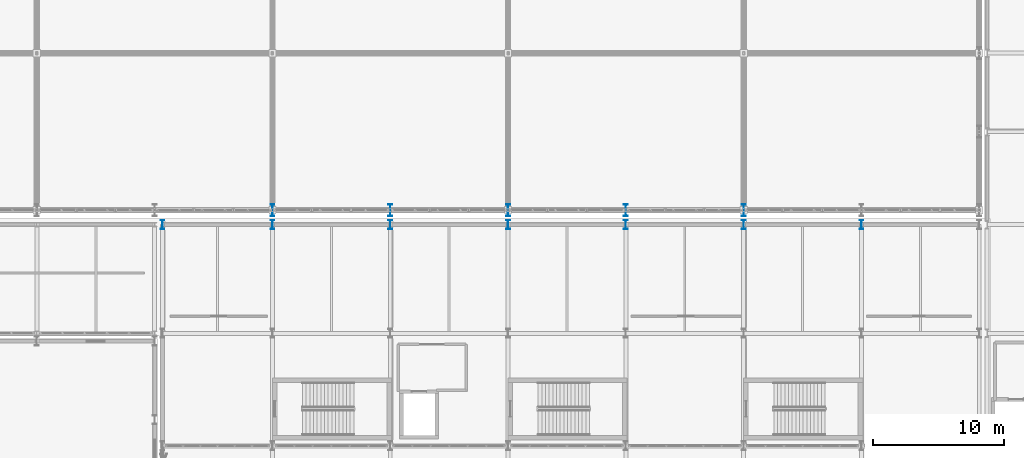
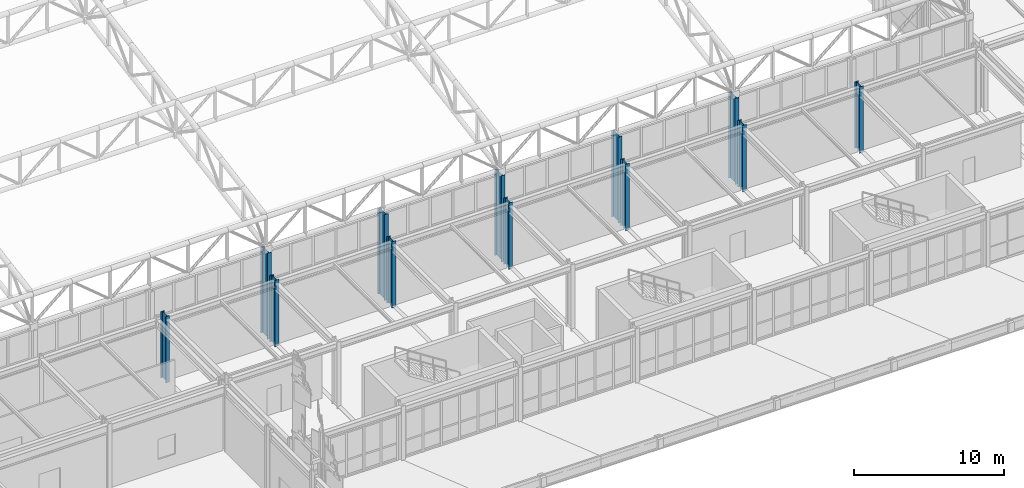
# One storey, part 9 of 239: 12 columns.
"""IFC4 building model written with IfcOpenShell, lengths in metres."""

import ifcopenshell
import ifcopenshell.guid

model = None  # the IFC model being written
_history = None  # IfcOwnerHistory: only IFC2X3 demands one
_inside = {}  # id of a spatial element -> (the spatial element, [elements in it])
_under = {}  # id of a project, library or spatial element -> (it, [spatial elements below it])
_declared = {}  # id of a project -> (the project, [libraries it declares])
_typed = {}  # id of a type object -> (the type object, [elements of that type])
_made_of = {}  # id of a material, layer set ... -> (it, [elements and type objects made of it])


def new_model(schema):
    """Start an empty IFC model of exactly this schema.

    Asked for "IFC4X3", IfcOpenShell would pick the latest addendum, in which some entities
    have other attributes; the version numbers below select the first issue.
    IFC2X3 requires an IfcOwnerHistory on every rooted entity: one is made here for all.
    """
    global model, _history
    if schema == "IFC4X3":
        model = ifcopenshell.file(schema_version=(4, 3, 0, 0))
    else:
        model = ifcopenshell.file(schema=schema)
    _inside.clear()
    _under.clear()
    _declared.clear()
    _typed.clear()
    _made_of.clear()
    _history = None
    if model.schema == "IFC2X3":
        org = make("IfcOrganization", Name="unknown")
        user = make(
            "IfcPersonAndOrganization",
            ThePerson=make("IfcPerson", FamilyName="unknown"),
            TheOrganization=org,
        )
        app = make(
            "IfcApplication",
            ApplicationDeveloper=org,
            Version="unknown",
            ApplicationFullName="unknown",
            ApplicationIdentifier="unknown",
        )
        _history = make(
            "IfcOwnerHistory",
            OwningUser=user,
            OwningApplication=app,
            ChangeAction="ADDED",
            CreationDate=0,
        )
    return model


def make(cls, **values):
    """One entity of the class cls with the attributes given. An attribute that is None is left unset."""
    return model.create_entity(
        cls, **{name: value for name, value in values.items() if value is not None}
    )


def rooted(cls, **values):
    """An entity with a GlobalId (a new one), such as an element, a storey or a relation."""
    return make(cls, GlobalId=ifcopenshell.guid.new(), OwnerHistory=_history, **values)


def si_unit(unit_type, name, prefix=None):
    """IfcSIUnit, for example si_unit("LENGTHUNIT", "METRE", prefix="MILLI")."""
    return make("IfcSIUnit", UnitType=unit_type, Prefix=prefix, Name=name)


def assignment(units):
    """IfcUnitAssignment: the units of a project."""
    return None if units is None else make("IfcUnitAssignment", Units=units)


def point(xyz):
    """IfcCartesianPoint."""
    return None if xyz is None else make("IfcCartesianPoint", Coordinates=xyz)


def direction(xyz):
    """IfcDirection."""
    return None if xyz is None else make("IfcDirection", DirectionRatios=xyz)


def frame(location, z_axis=None, x_axis=None):
    """IfcAxis2Placement3D, a coordinate frame: its origin and axes. An axis left out is left unset."""
    return make(
        "IfcAxis2Placement3D",
        Location=point(location),
        Axis=direction(z_axis),
        RefDirection=direction(x_axis),
    )


def frame_2d(location, x_axis=None):
    """IfcAxis2Placement2D, a coordinate frame in the plane: its origin and x axis."""
    return make(
        "IfcAxis2Placement2D", Location=point(location), RefDirection=direction(x_axis)
    )


def origin():
    """The frame at (0, 0, 0) with its axes left unset."""
    return frame((0.0, 0.0, 0.0))


def origin_2d():
    """The frame at (0, 0) in the plane with its x axis left unset."""
    return frame_2d((0.0, 0.0))


def place(relative_to, where):
    """IfcLocalPlacement: puts the frame where relative to a parent placement (None: the world)."""
    return make(
        "IfcLocalPlacement", PlacementRelTo=relative_to, RelativePlacement=where
    )


def context(
    kind, dimensions, precision=None, world=None, true_north=None, identifier=None
):
    """IfcGeometricRepresentationContext, for example the 3D "Model" context."""
    return make(
        "IfcGeometricRepresentationContext",
        ContextIdentifier=identifier,
        ContextType=kind,
        CoordinateSpaceDimension=dimensions,
        Precision=precision,
        WorldCoordinateSystem=world,
        TrueNorth=true_north,
    )


def subcontext(parent, identifier, kind, view, scale=None):
    """IfcGeometricRepresentationSubContext, for example "Body" below "Model"."""
    return make(
        "IfcGeometricRepresentationSubContext",
        ContextIdentifier=identifier,
        ContextType=kind,
        ParentContext=parent,
        TargetScale=scale,
        TargetView=view,
    )


def project(units=None, contexts=None):
    """IfcProject with its units and contexts."""
    return rooted(
        "IfcProject",
        Name="project",
        RepresentationContexts=contexts,
        UnitsInContext=assignment(units),
    )


def spatial(cls, under=None, at=None, **own):
    """A site, building, storey or space (cls), placed at a placement, below another one or the project."""
    s = rooted(cls, ObjectPlacement=at, **own)
    if under is not None:
        _under.setdefault(under.id(), (under, []))[1].append(s)
    return s


def profile(cls, at=None, kind="AREA", **sizes):
    """A parametric profile (cls). Its sizes go by their IFC names, for example OverallWidth=200.0."""
    return make(cls, ProfileType=kind, Position=at, **sizes)


def i_section(**sizes):
    """IfcIShapeProfileDef."""
    return profile("IfcIShapeProfileDef", **sizes)


def extrude(swept, where, along, depth):
    """IfcExtrudedAreaSolid: the profile swept, set in the frame where, extruded along a direction by depth."""
    return make(
        "IfcExtrudedAreaSolid",
        SweptArea=swept,
        Position=where,
        ExtrudedDirection=direction(along),
        Depth=depth,
    )


def shape(context_of_items, identifier, shape_type, items):
    """IfcShapeRepresentation: the items that make up one representation, for example the "Body"."""
    return make(
        "IfcShapeRepresentation",
        ContextOfItems=context_of_items,
        RepresentationIdentifier=identifier,
        RepresentationType=shape_type,
        Items=items,
    )


def material(Name=None, Category=None):
    """IfcMaterial."""
    return make("IfcMaterial", Name=Name, Category=Category)


def material_profile(
    of_material, cross_section, Name=None, Category=None, Priority=None
):
    """IfcMaterialProfile: a cross section and its material."""
    return make(
        "IfcMaterialProfile",
        Name=Name,
        Material=of_material,
        Profile=cross_section,
        Priority=Priority,
        Category=Category,
    )


def profile_set(profiles, Name=None, composite=None):
    """IfcMaterialProfileSet."""
    return make(
        "IfcMaterialProfileSet",
        Name=Name,
        MaterialProfiles=profiles,
        CompositeProfile=composite,
    )


def made_of(thing, what):
    """Note that an element or type object is made of a material, layer set ...; save() writes the relation."""
    if what is not None:
        _made_of.setdefault(what.id(), (what, []))[1].append(thing)
    return thing


def type_object(cls, material=None, **own):
    """A type object (cls), such as IfcWallType, which elements share."""
    return made_of(rooted(cls, **own), material)


def element(
    cls,
    number,
    at=None,
    inside=None,
    cuts=None,
    type_object=None,
    material=None,
    context=None,
    identifier="Body",
    shape_type=None,
    held_by="IfcProductDefinitionShape",
    body=None,
    shapes=None,
    **own,
):
    """One element of the class cls, such as IfcWall. Its Tag is "e" and its number.

    at: its placement. inside: the storey or other place that contains it. cuts: it is an
    opening in that element (IfcRelVoidsElement). A single representation is given by context,
    identifier, shape_type and body (its items); several are given by shapes. held_by: the class
    of the entity that holds the representations. save() writes the other relations.
    """
    e = rooted(cls, Tag="e%d" % number, ObjectPlacement=at, **own)
    if body is not None:
        shapes = [shape(context, identifier, shape_type, body)]
    if shapes is not None:
        e.Representation = make(held_by, Representations=shapes)
    if inside is not None:
        _inside.setdefault(inside.id(), (inside, []))[1].append(e)
    if cuts is not None:
        rooted(
            "IfcRelVoidsElement", RelatingBuildingElement=cuts, RelatedOpeningElement=e
        )
    if type_object is not None:
        _typed.setdefault(type_object.id(), (type_object, []))[1].append(e)
    return made_of(e, material)


def aggregate(whole, parts):
    """IfcRelAggregates: a whole, such as a stair, and the parts it consists of."""
    return rooted("IfcRelAggregates", RelatingObject=whole, RelatedObjects=parts)


def save(model, path):
    """Write the relations noted so far, then the file.

    IfcRelAggregates (storeys below a building ...), IfcRelContainedInSpatialStructure (elements
    in a storey), IfcRelDefinesByType, IfcRelAssociatesMaterial and IfcRelDeclares: one each for
    every whole, place, type object, material and project.
    """
    for whole, parts in _under.values():
        aggregate(whole, parts)
    for where, things in _inside.values():
        rooted(
            "IfcRelContainedInSpatialStructure",
            RelatedElements=things,
            RelatingStructure=where,
        )
    for kind, things in _typed.values():
        rooted("IfcRelDefinesByType", RelatedObjects=things, RelatingType=kind)
    for what, things in _made_of.values():
        rooted("IfcRelAssociatesMaterial", RelatedObjects=things, RelatingMaterial=what)
    for by, libraries in _declared.values():
        rooted("IfcRelDeclares", RelatingContext=by, RelatedDefinitions=libraries)
    model.write(path)


model = new_model("IFC4")

# Units and contexts
model_context = context("Model", 3, precision=1e-05, world=origin(), true_north=direction((0.0, 1.0)))
body_context = subcontext(model_context, "Body", "Model", "MODEL_VIEW")
ifc_project = project(units=[si_unit("LENGTHUNIT", "METRE"), si_unit("AREAUNIT", "SQUARE_METRE"), si_unit("VOLUMEUNIT", "CUBIC_METRE"), si_unit("PLANEANGLEUNIT", "RADIAN"), si_unit("MASSUNIT", "GRAM", prefix="KILO")], contexts=[model_context])

# Site, building, storey
site_placement = place(None, origin())
site = spatial("IfcSite", under=ifc_project, at=site_placement, CompositionType="ELEMENT")
building_placement = place(site_placement, origin())
building = spatial("IfcBuilding", under=site, at=building_placement, Name="Kaldris Quays Convention Centre", CompositionType="ELEMENT")
storey_placement = place(building_placement, frame((0.0, 0.0, 11.39990234375)))
storey = spatial("IfcBuildingStorey", under=building, at=storey_placement, Name="L02", CompositionType="ELEMENT", Elevation=11.39990234375)

# Columns
ifc_material = material(Name="Steel S355J2", Category="steel")
ifc_material_profile_1 = material_profile(ifc_material, i_section(OverallWidth=0.300048828125, OverallDepth=0.89990234375, WebThickness=0.0185546875, FlangeThickness=0.034912109375, FilletRadius=0.030029296875, at=origin_2d()), Name="HEB 900")
ifc_profile_set_1 = profile_set([ifc_material_profile_1], Name="Steel S355J2")
column_type_1 = type_object("IfcColumnType", Name="STRUCTURAL COLUMN CL03", PredefinedType="COLUMN", material=ifc_profile_set_1)
for number, where, z_axis, x_axis, name in (
    (1, (92.0, 56.0, 0.0), (0.0, 0.0, 1.0), (1.0, 0.0, 0.0), "L02 V1 Column CL03 (92.00, 56.00)"),
    (2, (101.0, 56.0, 0.0), (0.0, 0.0, 1.0), (1.0, 0.0, 0.0), "L02 V1 Column CL03 (101.00, 56.00)"),
    (3, (110.0, 56.0, 0.0), (0.0, 0.0, 1.0), (1.0, 0.0, 0.0), "L02 V1 Column CL03 (110.00, 56.00)"),
    (4, (119.0, 56.0, 0.0), (0.0, 0.0, 1.0), (1.0, 0.0, 0.0), "L02 V1 Column CL03 (119.00, 56.00)"),
    (5, (128.0, 56.0, 0.0), (0.0, 0.0, 1.0), (1.0, 0.0, 0.0), "L02 V1 Column CL03 (128.00, 56.00)"),
):
    element("IfcColumn", number, at=place(storey_placement, frame(where, z_axis=z_axis, x_axis=x_axis)), inside=storey, type_object=column_type_1, Name=name, PredefinedType="COLUMN", context=body_context, shape_type="SweptSolid", body=[
        extrude(i_section(OverallWidth=0.300048828125, OverallDepth=0.89990234375, WebThickness=0.0185546875, FlangeThickness=0.034912109375, FilletRadius=0.030029296875, at=origin_2d()), origin(), (0.0, 0.0, 1.0), 7.0),
    ])
ifc_material_profile_2 = material_profile(ifc_material, i_section(OverallWidth=0.300048828125, OverallDepth=0.699951171875, WebThickness=0.01708984375, FlangeThickness=0.031982421875, FilletRadius=0.027099609375, at=origin_2d()), Name="HEB 700")
ifc_profile_set_2 = profile_set([ifc_material_profile_2], Name="Steel S355J2")
column_type_2 = type_object("IfcColumnType", Name="STRUCTURAL COLUMN CL05", PredefinedType="COLUMN", material=ifc_profile_set_2)
for number, where, z_axis, x_axis, name in (
    (6, (83.60009765625, 54.89990234375, 0.0), (0.0, 0.0, 1.0), (1.0, 0.0, 0.0), "L02 V4 Column CL05 (83.60, 54.90)"),
    (7, (92.0, 54.89990234375, 0.0), (0.0, 0.0, 1.0), (1.0, 0.0, 0.0), "L02 V4 Column CL05 (92.00, 54.90)"),
    (8, (101.0, 54.89990234375, 0.0), (0.0, 0.0, 1.0), (1.0, 0.0, 0.0), "L02 V4 Column CL05 (101.00, 54.90)"),
    (9, (110.0, 54.89990234375, 0.0), (0.0, 0.0, 1.0), (1.0, 0.0, 0.0), "L02 V4 Column CL05 (110.00, 54.90)"),
    (10, (119.0, 54.89990234375, 0.0), (0.0, 0.0, 1.0), (1.0, 0.0, 0.0), "L02 V4 Column CL05 (119.00, 54.90)"),
    (11, (128.0, 54.89990234375, 0.0), (0.0, 0.0, 1.0), (1.0, 0.0, 0.0), "L02 V4 Column CL05 (128.00, 54.90)"),
    (12, (137.0, 54.89990234375, 0.0), (0.0, 0.0, 1.0), (1.0, 0.0, 0.0), "L02 V4 Column CL05 (137.00, 54.90)"),
):
    element("IfcColumn", number, at=place(storey_placement, frame(where, z_axis=z_axis, x_axis=x_axis)), inside=storey, type_object=column_type_2, Name=name, PredefinedType="COLUMN", context=body_context, shape_type="SweptSolid", body=[
        extrude(i_section(OverallWidth=0.300048828125, OverallDepth=0.699951171875, WebThickness=0.01708984375, FlangeThickness=0.031982421875, FilletRadius=0.027099609375, at=origin_2d()), origin(), (0.0, 0.0, 1.0), 5.400146484375),
    ])

save(model, "model.ifc")
